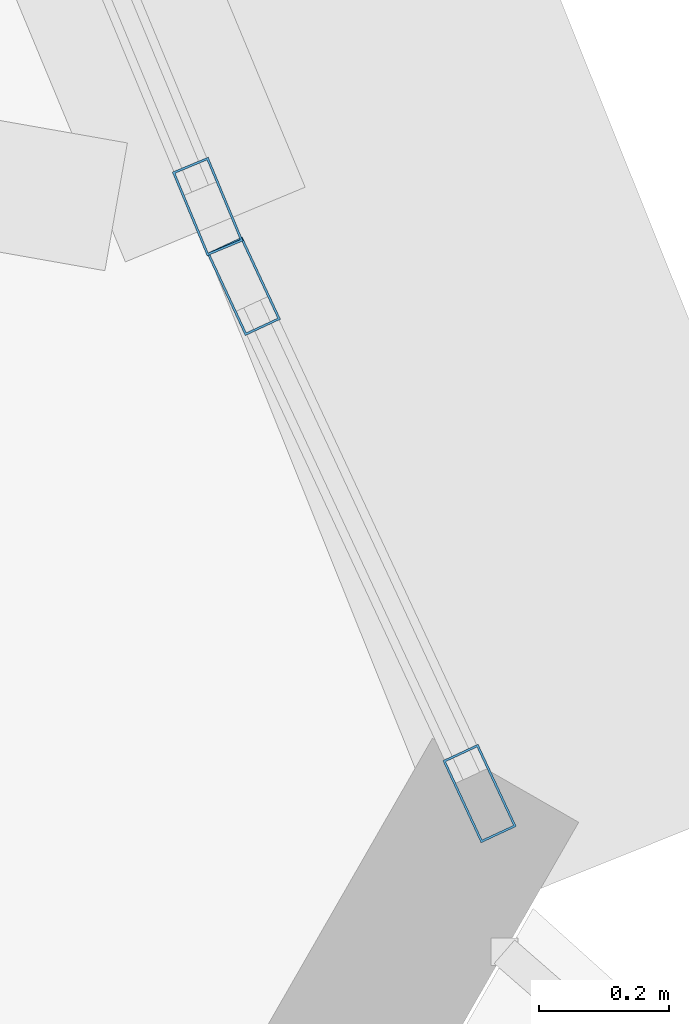
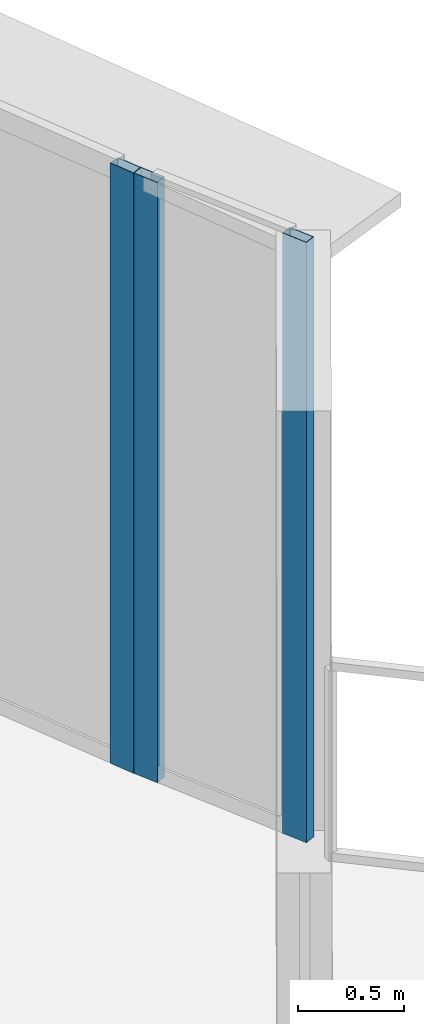
# One storey, part 26 of 37: 3 members, 2 elements without a shape of their own.
"""IFC4 building model written with IfcOpenShell, lengths in metres."""

from ifc_helpers import new_model, si_unit, direction, frame, origin, origin_2d, place, context, subcontext, project, spatial, hollow_rectangle, extrude, source, transform, mapped, material, layer, layer_set, material_profile, profile_set, type_object, element, aggregate, save


model = new_model("IFC4")

# Units and contexts
model_context = context("Model", 3, precision=1e-05, world=origin(), true_north=direction((0.0, 1.0)))
body_context = subcontext(model_context, "Body", "Model", "MODEL_VIEW")
ifc_project = project(units=[si_unit("LENGTHUNIT", "METRE"), si_unit("AREAUNIT", "SQUARE_METRE"), si_unit("VOLUMEUNIT", "CUBIC_METRE"), si_unit("PLANEANGLEUNIT", "RADIAN"), si_unit("MASSUNIT", "GRAM", prefix="KILO"), si_unit("THERMODYNAMICTEMPERATUREUNIT", "KELVIN"), si_unit("POWERUNIT", "WATT")], contexts=[model_context])

# Site, building, storey
site_placement = place(None, origin())
site = spatial("IfcSite", under=ifc_project, at=site_placement, CompositionType="ELEMENT")
building_placement = place(site_placement, origin())
building = spatial("IfcBuilding", under=site, at=building_placement, Name="Yunzhuo Pagoda Commons", CompositionType="ELEMENT")
storey_placement = place(building_placement, frame((0.0, 0.0, 281.2900390625)))
storey = spatial("IfcBuildingStorey", under=building, at=storey_placement, Name="L70", CompositionType="ELEMENT", Elevation=281.2900390625)

# Curtain wall, member
ifc_material = material(Name="Anodized aluminium 6063-T6", Category="aluminium")
ifc_layer = layer(ifc_material, 0.139892578125)
ifc_layer_set = layer_set([ifc_layer], Name="Anodized aluminium 6063-T6")
curtain_wall_type = type_object("IfcCurtainWallType", Name="CW-HI High-Zone Ribbon Curtain Wall", PredefinedType="NOTDEFINED", material=ifc_layer_set)
curtain_wall_1_placement = place(storey_placement, origin())
curtain_wall_1 = element("IfcCurtainWall", 1, at=curtain_wall_1_placement, inside=storey, type_object=curtain_wall_type, Name="L70 curtain wall CW-L70-F2B2", PredefinedType="NOTDEFINED")
ifc_material_profile = material_profile(ifc_material, hollow_rectangle(XDim=0.06005859375, YDim=0.139892578125, WallThickness=0.00341796875, at=origin_2d()), Name="Anodized aluminium 6063-T6")
ifc_profile_set = profile_set([ifc_material_profile], Name="Anodized aluminium 6063-T6")
member_type = type_object("IfcMemberType", Name="CW-HI-M Mullion RHS 140x60x3.5", PredefinedType="MULLION", material=ifc_profile_set)
shared_shape = source(origin(), body_context, "Body", "SweptSolid", [
    extrude(hollow_rectangle(XDim=0.06005859375, YDim=0.139892578125, WallThickness=0.00341796875, at=origin_2d()), origin(), (0.0, 0.0, 1.0), 3.469970703125),
])
member_1_placement = place(storey_placement, frame((80.138671875, 28.058837890625, 0.0), z_axis=(0.0, 0.0, 1.0), x_axis=(-0.923393531316, -0.383854642182, 0.0)))
member_1 = element("IfcMember", 2, at=member_1_placement, type_object=member_type, Name="CW mullion 1", PredefinedType="MULLION", context=body_context, shape_type="MappedRepresentation", body=[
    mapped(shared_shape, transform((0.0, 0.0, 0.0), scale=1.0)),
])
aggregate(curtain_wall_1, [member_1])

# Curtain wall, members
curtain_wall_2_placement = place(storey_placement, origin())
curtain_wall_2 = element("IfcCurtainWall", 3, at=curtain_wall_2_placement, inside=storey, type_object=curtain_wall_type, Name="L70 curtain wall CW-L70-F2B1", PredefinedType="NOTDEFINED")
member_2_placement = place(storey_placement, frame((80.557861328125, 27.15380859375, 0.0), z_axis=(0.0, 0.0, 1.0), x_axis=(-0.906871417291, -0.421407442389, 0.0)))
member_2 = element("IfcMember", 4, at=member_2_placement, type_object=member_type, Name="CW mullion 1", PredefinedType="MULLION", context=body_context, shape_type="MappedRepresentation", body=[
    mapped(shared_shape, transform((0.0, 0.0, 0.0), scale=1.0)),
])
member_3_placement = place(storey_placement, frame((80.1943359375, 27.935791015625, 0.0), z_axis=(0.0, 0.0, 1.0), x_axis=(-0.906871417291, -0.421407442389, 0.0)))
member_3 = element("IfcMember", 5, at=member_3_placement, type_object=member_type, Name="CW mullion 2", PredefinedType="MULLION", context=body_context, shape_type="MappedRepresentation", body=[
    mapped(shared_shape, transform((0.0, 0.0, 0.0), scale=1.0)),
])
aggregate(curtain_wall_2, [member_2, member_3])

save(model, "model.ifc")
